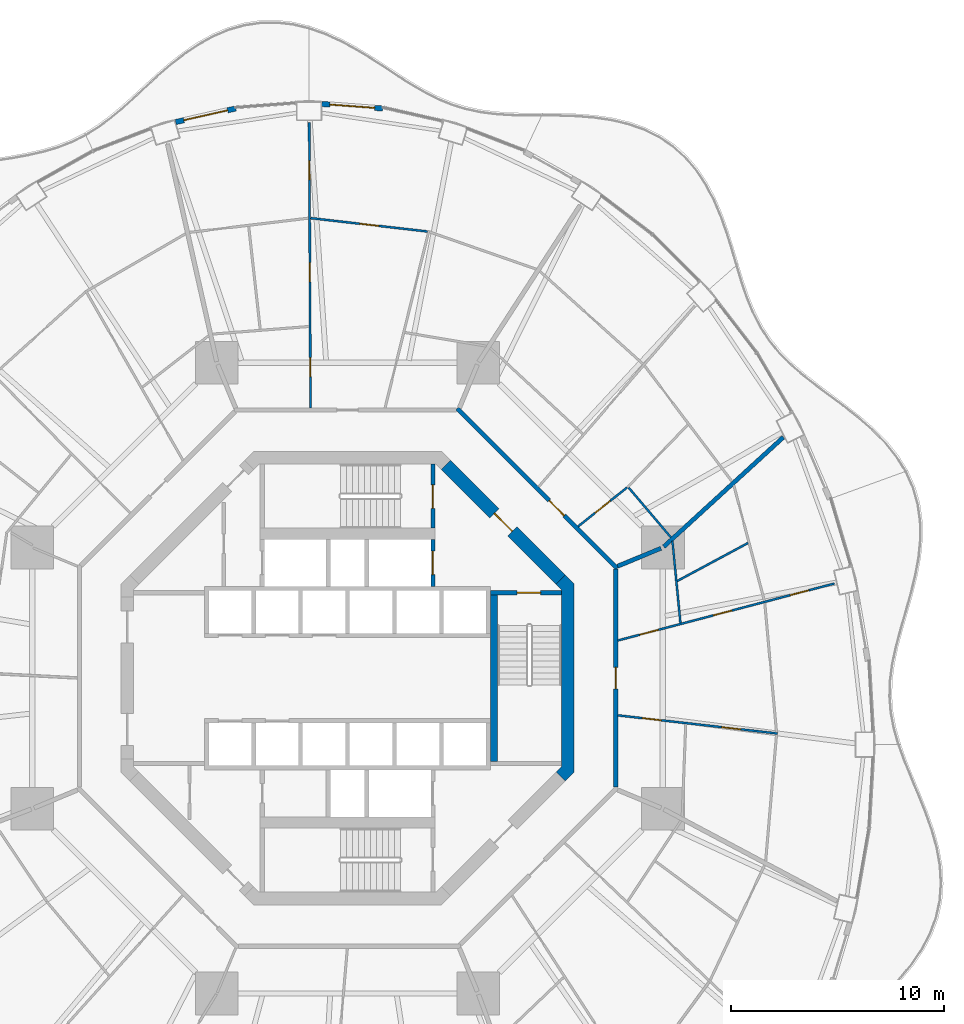
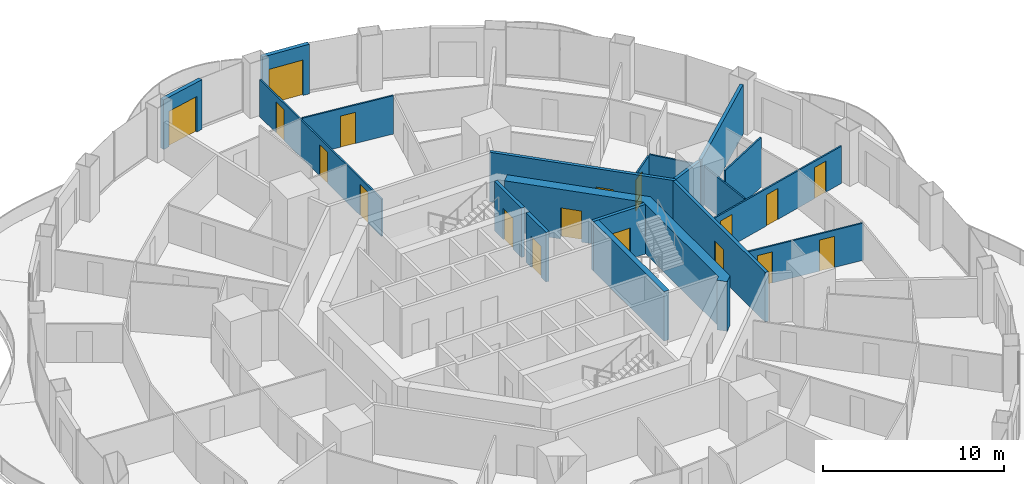
# One storey, part 17 of 21: 20 walls, 18 doors, 18 openings.
"""IFC4 building model written with IfcOpenShell, lengths in metres."""

from ifc_helpers import new_model, si_unit, direction, frame, frame_2d, origin, place, context, subcontext, project, spatial, polyline, rectangle, outline, extrude, material, layer, layer_set, type_object, element, fill, save


model = new_model("IFC4")

# Units and contexts
model_context = context("Model", 3, precision=1e-05, world=origin(), true_north=direction((0.0, 1.0)))
body_context = subcontext(model_context, "Body", "Model", "MODEL_VIEW")
ifc_project = project(units=[si_unit("LENGTHUNIT", "METRE"), si_unit("AREAUNIT", "SQUARE_METRE"), si_unit("VOLUMEUNIT", "CUBIC_METRE"), si_unit("PLANEANGLEUNIT", "RADIAN"), si_unit("MASSUNIT", "GRAM", prefix="KILO")], contexts=[model_context])

# Site, building, storey
site_placement = place(None, origin())
site = spatial("IfcSite", under=ifc_project, at=site_placement, CompositionType="ELEMENT")
building_placement = place(site_placement, origin())
building = spatial("IfcBuilding", under=site, at=building_placement, Name="Nagisa Residences", CompositionType="ELEMENT")
storey_placement = place(building_placement, frame((0.0, 0.0, 156.60009765625)))
storey = spatial("IfcBuildingStorey", under=building, at=storey_placement, Name="L39", CompositionType="ELEMENT", Elevation=156.60009765625)

# Walls
ifc_material_1 = material(Name="Gypsum board on steel studs", Category="steel")
ifc_layer_1 = layer(ifc_material_1, 0.199951171875)
ifc_layer_set_1 = layer_set([ifc_layer_1], Name="Apartment compartment wall EI60 200")
wall_type_1 = type_object("IfcWallType", Name="Apartment compartment wall EI60 200", PredefinedType="PARTITIONING", material=ifc_layer_set_1)
wall_1_placement = place(storey_placement, frame((12.6572265625, 5.24267578125, 0.0), z_axis=(0.0, 0.0, 1.0), x_axis=(0.923876145736, 0.382691608661, 0.0)))
element("IfcWall", 1, at=wall_1_placement, inside=storey, type_object=wall_type_1, Name="wall:L39:u00", PredefinedType="PARTITIONING", context=body_context, shape_type="SweptSolid", body=[
    extrude(rectangle(XDim=2.19970703125, YDim=0.199951171875, at=frame_2d((1.099853515625, 0.0))), origin(), (0.0, 0.0, 1.0), 3.349853515625),
])
wall_2_placement = place(storey_placement, frame((14.81884765625, 6.15673828125, 0.0), z_axis=(0.0, 0.0, 1.0), x_axis=(0.737608883396, 0.675228209671, 0.0)))
element("IfcWall", 2, at=wall_2_placement, inside=storey, type_object=wall_type_1, Name="wall:L39:u01", PredefinedType="PARTITIONING", context=body_context, shape_type="SweptSolid", body=[
    extrude(rectangle(XDim=7.596435546875, YDim=0.199951171875, at=frame_2d((3.79833984375, 0.0))), origin(), (0.0, 0.0, 1.0), 3.349853515625),
])

# Wall, opening, door
ifc_material_2 = material(Name="Gypsum board on steel studs", Category="steel")
ifc_layer_2 = layer(ifc_material_2, 0.199951171875)
ifc_layer_set_2 = layer_set([ifc_layer_2], Name="Apartment entry wall EI60 200")
wall_type_2 = type_object("IfcWallType", Name="Apartment entry wall EI60 200", PredefinedType="PARTITIONING", material=ifc_layer_set_2)
wall_3_placement = place(storey_placement, frame((12.564697265625, -5.1044921875, 0.0), z_axis=(0.0, 0.0, 1.0), x_axis=(0.0, 1.0, 0.0)))
wall_3 = element("IfcWall", 3, at=wall_3_placement, inside=storey, type_object=wall_type_2, Name="wall:L39:u12", PredefinedType="PARTITIONING", context=body_context, shape_type="SweptSolid", body=[
    extrude(rectangle(XDim=10.208984375, YDim=0.199951171875, at=frame_2d((5.1044921875, 0.0))), origin(), (0.0, 0.0, 1.0), 3.349853515625),
])
opening_1_placement = place(wall_3_placement, frame((4.6044921875, 0.0, 0.0)))
opening_1 = element("IfcOpeningElement", 4, at=opening_1_placement, cuts=wall_3, Name="Opening L39-U09", PredefinedType="OPENING", context=body_context, shape_type="SweptSolid", body=[
    extrude(rectangle(XDim=1.0, YDim=2.10009765625, at=frame_2d((0.5, 1.050048828125))), frame((0.0, 0.10986328125, 0.0), z_axis=(0.0, -1.0, 0.0), x_axis=(1.0, 0.0, 0.0)), (0.0, 0.0, 1.0), 0.219970703125),
])
ifc_material_3 = material(Name="Timber fire door set", Category="wood")
door_type_1 = type_object("IfcDoorType", Name="Apartment entry door FD30S 1000x2100", OperationType="NOTDEFINED", PredefinedType="DOOR", material=ifc_material_3)
door_1_placement = place(opening_1_placement, frame((1.0, 0.0, 0.0), x_axis=(-1.0, 0.0, 0.0)))
door_1 = element("IfcDoor", 5, at=door_1_placement, inside=storey, type_object=door_type_1, Name="Entry door, Apartment 39B", OperationType="SINGLE_SWING_RIGHT", OverallHeight=2.10009765625, OverallWidth=1.0, PredefinedType="DOOR", context=body_context, shape_type="SweptSolid", body=[
    extrude(rectangle(XDim=1.0, YDim=2.10009765625, at=frame_2d((0.5, 1.050048828125))), frame((0.0, 0.02490234375, 0.0), z_axis=(0.0, -1.0, 0.0), x_axis=(1.0, 0.0, 0.0)), (0.0, 0.0, 1.0), 0.050048828125),
])
fill(opening_1, door_1)

wall_4_placement = place(storey_placement, frame((12.635498046875, 5.1337890625, 0.0), z_axis=(0.0, 0.0, 1.0), x_axis=(-0.707106781187, 0.707106781187, 0.0)))
wall_4 = element("IfcWall", 6, at=wall_4_placement, inside=storey, type_object=wall_type_2, Name="wall:L39:u13", PredefinedType="PARTITIONING", context=body_context, shape_type="SweptSolid", body=[
    extrude(rectangle(XDim=10.609130859375, YDim=0.199951171875, at=frame_2d((5.3046875, 0.0))), origin(), (0.0, 0.0, 1.0), 3.349853515625),
])
opening_2_placement = place(wall_4_placement, frame((3.50341796875, 0.0, 0.0)))
opening_2 = element("IfcOpeningElement", 7, at=opening_2_placement, cuts=wall_4, Name="Opening L39-U17", PredefinedType="OPENING", context=body_context, shape_type="SweptSolid", body=[
    extrude(rectangle(XDim=1.0, YDim=2.10009765625, at=frame_2d((0.5, 1.050048828125))), frame((0.0, 0.10986328125, 0.0), z_axis=(0.0, -1.0, 0.0), x_axis=(1.0, 0.0, 0.0)), (0.0, 0.0, 1.0), 0.219970703125),
])
door_2_placement = place(opening_2_placement, frame((1.0, 0.0, 0.0), x_axis=(-1.0, 0.0, 0.0)))
door_2 = element("IfcDoor", 8, at=door_2_placement, inside=storey, type_object=door_type_1, Name="Entry door, Apartment 39C", OperationType="SINGLE_SWING_RIGHT", OverallHeight=2.10009765625, OverallWidth=1.0, PredefinedType="DOOR", context=body_context, shape_type="SweptSolid", body=[
    extrude(rectangle(XDim=1.0, YDim=2.10009765625, at=frame_2d((0.5, 1.050048828125))), frame((0.0, 0.02490234375, 0.0), z_axis=(0.0, -1.0, 0.0), x_axis=(1.0, 0.0, 0.0)), (0.0, 0.0, 1.0), 0.050048828125),
])
fill(opening_2, door_2)

# Wall, openings, doors
ifc_material_4 = material(Name="Gypsum board on steel studs", Category="steel")
ifc_layer_3 = layer(ifc_material_4, 0.10009765625)
ifc_layer_set_3 = layer_set([ifc_layer_3], Name="Apartment partition 100")
wall_type_3 = type_object("IfcWallType", Name="Apartment partition 100", PredefinedType="PARTITIONING", material=ifc_layer_set_3)
wall_5_placement = place(storey_placement, frame((12.6640625, -1.74609375, 0.0), z_axis=(0.0, 0.0, 1.0), x_axis=(0.993605172276, -0.112910414164, 0.0)))
wall_5 = element("IfcWall", 9, at=wall_5_placement, inside=storey, type_object=wall_type_3, Name="wall:L39:u20", PredefinedType="PARTITIONING", context=body_context, shape_type="SweptSolid", body=[
    extrude(rectangle(XDim=7.544189453125, YDim=0.10009765625, at=frame_2d((3.77197265625, 0.0))), origin(), (0.0, 0.0, 1.0), 2.514892578125),
])
opening_3_placement = place(wall_5_placement, frame((1.153564453125, 0.0, 0.0)))
opening_3 = element("IfcOpeningElement", 10, at=opening_3_placement, cuts=wall_5, Name="Opening L39-U10", PredefinedType="OPENING", context=body_context, shape_type="SweptSolid", body=[
    extrude(rectangle(XDim=0.89990234375, YDim=2.10009765625, at=frame_2d((0.449951171875, 1.050048828125))), frame((0.0, 0.06005859375, 0.0), z_axis=(0.0, -1.0, 0.0), x_axis=(1.0, 0.0, 0.0)), (0.0, 0.0, 1.0), 0.1201171875),
])
opening_4_placement = place(wall_5_placement, frame((4.900634765625, 0.0, 0.0)))
opening_4 = element("IfcOpeningElement", 11, at=opening_4_placement, cuts=wall_5, Name="Opening L39-U12", PredefinedType="OPENING", context=body_context, shape_type="SweptSolid", body=[
    extrude(rectangle(XDim=0.89990234375, YDim=2.10009765625, at=frame_2d((0.449951171875, 1.050048828125))), frame((0.0, 0.06005859375, 0.0), z_axis=(0.0, -1.0, 0.0), x_axis=(1.0, 0.0, 0.0)), (0.0, 0.0, 1.0), 0.1201171875),
])
ifc_material_5 = material(Name="Timber door set", Category="wood")
door_type_2 = type_object("IfcDoorType", Name="Apartment door 900x2100", OperationType="NOTDEFINED", PredefinedType="DOOR", material=ifc_material_5)
door_3_placement = place(opening_3_placement, frame((0.89990234375, 0.0, 0.0), x_axis=(-1.0, 0.0, 0.0)))
door_3 = element("IfcDoor", 12, at=door_3_placement, inside=storey, type_object=door_type_2, Name="Door to family bathroom, Apartment 39B", OperationType="SINGLE_SWING_LEFT", OverallHeight=2.10009765625, OverallWidth=0.89990234375, PredefinedType="DOOR", context=body_context, shape_type="SweptSolid", body=[
    extrude(rectangle(XDim=0.89990234375, YDim=2.10009765625, at=frame_2d((0.449951171875, 1.050048828125))), frame((0.0, 0.02490234375, 0.0), z_axis=(0.0, -1.0, 0.0), x_axis=(1.0, 0.0, 0.0)), (0.0, 0.0, 1.0), 0.050048828125),
])
fill(opening_3, door_3)
door_4_placement = place(opening_4_placement, frame((0.89990234375, 0.0, 0.0), x_axis=(-1.0, 0.0, 0.0)))
door_4 = element("IfcDoor", 13, at=door_4_placement, inside=storey, type_object=door_type_2, Name="Door to kitchen, Apartment 39B", OperationType="SINGLE_SWING_LEFT", OverallHeight=2.10009765625, OverallWidth=0.89990234375, PredefinedType="DOOR", context=body_context, shape_type="SweptSolid", body=[
    extrude(rectangle(XDim=0.89990234375, YDim=2.10009765625, at=frame_2d((0.449951171875, 1.050048828125))), frame((0.0, 0.02490234375, 0.0), z_axis=(0.0, -1.0, 0.0), x_axis=(1.0, 0.0, 0.0)), (0.0, 0.0, 1.0), 0.050048828125),
])
fill(opening_4, door_4)

wall_6_placement = place(storey_placement, frame((12.661376953125, 1.76025390625, 0.0), z_axis=(0.0, 0.0, 1.0), x_axis=(0.967120304949, 0.254319318488, 0.0)))
wall_6 = element("IfcWall", 14, at=wall_6_placement, inside=storey, type_object=wall_type_3, Name="wall:L39:u24", PredefinedType="PARTITIONING", context=body_context, shape_type="SweptSolid", body=[
    extrude(rectangle(XDim=10.499267578125, YDim=0.10009765625, at=frame_2d((5.24951171875, 0.0))), origin(), (0.0, 0.0, 1.0), 2.514892578125),
])
opening_5_placement = place(wall_6_placement, frame((1.072509765625, 0.0, 0.0)))
opening_5 = element("IfcOpeningElement", 15, at=opening_5_placement, cuts=wall_6, Name="Opening L39-U11", PredefinedType="OPENING", context=body_context, shape_type="SweptSolid", body=[
    extrude(rectangle(XDim=0.89990234375, YDim=2.10009765625, at=frame_2d((0.449951171875, 1.050048828125))), frame((0.0, 0.06005859375, 0.0), z_axis=(0.0, -1.0, 0.0), x_axis=(1.0, 0.0, 0.0)), (0.0, 0.0, 1.0), 0.1201171875),
])
opening_6_placement = place(wall_6_placement, frame((4.6337890625, 0.0, 0.0)))
opening_6 = element("IfcOpeningElement", 16, at=opening_6_placement, cuts=wall_6, Name="Opening L39-U13", PredefinedType="OPENING", context=body_context, shape_type="SweptSolid", body=[
    extrude(rectangle(XDim=0.89990234375, YDim=2.10009765625, at=frame_2d((0.449951171875, 1.050048828125))), frame((0.0, 0.06005859375, 0.0), z_axis=(0.0, -1.0, 0.0), x_axis=(1.0, 0.0, 0.0)), (0.0, 0.0, 1.0), 0.1201171875),
])
opening_7_placement = place(wall_6_placement, frame((8.36083984375, 0.0, 0.0)))
opening_7 = element("IfcOpeningElement", 17, at=opening_7_placement, cuts=wall_6, Name="Opening L39-U15", PredefinedType="OPENING", context=body_context, shape_type="SweptSolid", body=[
    extrude(rectangle(XDim=0.89990234375, YDim=2.10009765625, at=frame_2d((0.449951171875, 1.050048828125))), frame((0.0, 0.06005859375, 0.0), z_axis=(0.0, -1.0, 0.0), x_axis=(1.0, 0.0, 0.0)), (0.0, 0.0, 1.0), 0.1201171875),
])
door_5_placement = place(opening_5_placement, origin())
door_5 = element("IfcDoor", 18, at=door_5_placement, inside=storey, type_object=door_type_2, Name="Door to family bathroom, Apartment 39B", OperationType="SINGLE_SWING_LEFT", OverallHeight=2.10009765625, OverallWidth=0.89990234375, PredefinedType="DOOR", context=body_context, shape_type="SweptSolid", body=[
    extrude(rectangle(XDim=0.89990234375, YDim=2.10009765625, at=frame_2d((0.449951171875, 1.050048828125))), frame((0.0, 0.02490234375, 0.0), z_axis=(0.0, -1.0, 0.0), x_axis=(1.0, 0.0, 0.0)), (0.0, 0.0, 1.0), 0.050048828125),
])
fill(opening_5, door_5)
door_6_placement = place(opening_6_placement, origin())
door_6 = element("IfcDoor", 19, at=door_6_placement, inside=storey, type_object=door_type_2, Name="Door to family bathroom, Apartment 39B", OperationType="SINGLE_SWING_LEFT", OverallHeight=2.10009765625, OverallWidth=0.89990234375, PredefinedType="DOOR", context=body_context, shape_type="SweptSolid", body=[
    extrude(rectangle(XDim=0.89990234375, YDim=2.10009765625, at=frame_2d((0.449951171875, 1.050048828125))), frame((0.0, 0.02490234375, 0.0), z_axis=(0.0, -1.0, 0.0), x_axis=(1.0, 0.0, 0.0)), (0.0, 0.0, 1.0), 0.050048828125),
])
fill(opening_6, door_6)
door_7_placement = place(opening_7_placement, origin())
door_7 = element("IfcDoor", 20, at=door_7_placement, inside=storey, type_object=door_type_2, Name="Door to bedroom, Apartment 39B", OperationType="SINGLE_SWING_LEFT", OverallHeight=2.10009765625, OverallWidth=0.89990234375, PredefinedType="DOOR", context=body_context, shape_type="SweptSolid", body=[
    extrude(rectangle(XDim=0.89990234375, YDim=2.10009765625, at=frame_2d((0.449951171875, 1.050048828125))), frame((0.0, 0.02490234375, 0.0), z_axis=(0.0, -1.0, 0.0), x_axis=(1.0, 0.0, 0.0)), (0.0, 0.0, 1.0), 0.050048828125),
])
fill(opening_7, door_7)

# Walls
wall_7_placement = place(storey_placement, frame((15.601806640625, 2.58447265625, 0.0), z_axis=(0.0, 0.0, 1.0), x_axis=(-0.097196343206, 0.995265226393, 0.0)))
element("IfcWall", 21, at=wall_7_placement, inside=storey, type_object=wall_type_3, Name="wall:L39:u25", PredefinedType="PARTITIONING", context=body_context, shape_type="SweptSolid", body=[
    extrude(rectangle(XDim=3.855712890625, YDim=0.10009765625, at=frame_2d((1.927734375, 0.0))), origin(), (0.0, 0.0, 1.0), 2.596923828125),
])
wall_8_placement = place(storey_placement, frame((15.4560546875, 4.5517578125, 0.0), z_axis=(0.0, 0.0, 1.0), x_axis=(0.8809418045, 0.473224615889, 0.0)))
element("IfcWall", 22, at=wall_8_placement, inside=storey, type_object=wall_type_3, Name="wall:L39:u27", PredefinedType="PARTITIONING", context=body_context, shape_type="SweptSolid", body=[
    extrude(rectangle(XDim=3.760498046875, YDim=0.10009765625, at=frame_2d((1.88037109375, 0.0))), origin(), (0.0, 0.0, 1.0), 3.349853515625),
])
wall_9_placement = place(storey_placement, frame((15.152587890625, 6.597412109375, 0.0), z_axis=(0.0, 0.0, 1.0), x_axis=(-0.647384064422, 0.762163941113, 0.0)))
element("IfcWall", 23, at=wall_9_placement, inside=storey, type_object=wall_type_3, Name="wall:L39:u28", PredefinedType="PARTITIONING", context=body_context, shape_type="SweptSolid", body=[
    extrude(rectangle(XDim=3.056640625, YDim=0.10009765625, at=frame_2d((1.5283203125, 0.0))), origin(), (0.0, 0.0, 1.0), 2.596923828125),
])

# Wall, opening, door
wall_10_placement = place(storey_placement, frame((10.802978515625, 7.106689453125, 0.0), z_axis=(0.0, 0.0, 1.0), x_axis=(0.782908385935, 0.622137010017, 0.0)))
wall_10 = element("IfcWall", 24, at=wall_10_placement, inside=storey, type_object=wall_type_3, Name="wall:L39:u30", PredefinedType="PARTITIONING", context=body_context, shape_type="SweptSolid", body=[
    extrude(rectangle(XDim=2.93701171875, YDim=0.10009765625, at=frame_2d((1.468505859375, 0.0))), origin(), (0.0, 0.0, 1.0), 2.514892578125),
])
opening_8_placement = place(wall_10_placement, frame((1.0185546875, 0.0, 0.0)))
opening_8 = element("IfcOpeningElement", 25, at=opening_8_placement, cuts=wall_10, Name="Opening L39-U18", PredefinedType="OPENING", context=body_context, shape_type="SweptSolid", body=[
    extrude(rectangle(XDim=0.89990234375, YDim=2.10009765625, at=frame_2d((0.449951171875, 1.050048828125))), frame((0.0, 0.06005859375, 0.0), z_axis=(0.0, -1.0, 0.0), x_axis=(1.0, 0.0, 0.0)), (0.0, 0.0, 1.0), 0.1201171875),
])
door_8_placement = place(opening_8_placement, frame((0.89990234375, 0.0, 0.0), x_axis=(-1.0, 0.0, 0.0)))
door_8 = element("IfcDoor", 26, at=door_8_placement, inside=storey, type_object=door_type_2, Name="Door to family bathroom, Apartment 39C", OperationType="SINGLE_SWING_LEFT", OverallHeight=2.10009765625, OverallWidth=0.89990234375, PredefinedType="DOOR", context=body_context, shape_type="SweptSolid", body=[
    extrude(rectangle(XDim=0.89990234375, YDim=2.10009765625, at=frame_2d((0.449951171875, 1.050048828125))), frame((0.0, 0.02490234375, 0.0), z_axis=(0.0, -1.0, 0.0), x_axis=(1.0, 0.0, 0.0)), (0.0, 0.0, 1.0), 0.050048828125),
])
fill(opening_8, door_8)

wall_11_placement = place(storey_placement, frame((3.75146484375, 20.930419921875, 0.0), z_axis=(0.0, 0.0, 1.0), x_axis=(-0.993522105273, 0.113639017658, 0.0)))
wall_11 = element("IfcWall", 27, at=wall_11_placement, inside=storey, type_object=wall_type_3, Name="wall:L39:u38", PredefinedType="PARTITIONING", context=body_context, shape_type="SweptSolid", body=[
    extrude(rectangle(XDim=5.5126953125, YDim=0.10009765625, at=frame_2d((2.75634765625, 0.0))), origin(), (0.0, 0.0, 1.0), 2.596923828125),
])
opening_9_placement = place(wall_11_placement, frame((2.306396484375, 0.0, 0.0)))
opening_9 = element("IfcOpeningElement", 28, at=opening_9_placement, cuts=wall_11, Name="Opening L39-U29", PredefinedType="OPENING", context=body_context, shape_type="SweptSolid", body=[
    extrude(rectangle(XDim=0.89990234375, YDim=2.10009765625, at=frame_2d((0.449951171875, 1.050048828125))), frame((0.0, 0.06005859375, 0.0), z_axis=(0.0, -1.0, 0.0), x_axis=(1.0, 0.0, 0.0)), (0.0, 0.0, 1.0), 0.1201171875),
])
door_9_placement = place(opening_9_placement, frame((0.89990234375, 0.0, 0.0), x_axis=(-1.0, 0.0, 0.0)))
door_9 = element("IfcDoor", 29, at=door_9_placement, inside=storey, type_object=door_type_2, Name="Door to living room, Apartment 39D", OperationType="SINGLE_SWING_RIGHT", OverallHeight=2.10009765625, OverallWidth=0.89990234375, PredefinedType="DOOR", context=body_context, shape_type="SweptSolid", body=[
    extrude(rectangle(XDim=0.89990234375, YDim=2.10009765625, at=frame_2d((0.449951171875, 1.050048828125))), frame((0.0, 0.02490234375, 0.0), z_axis=(0.0, -1.0, 0.0), x_axis=(1.0, 0.0, 0.0)), (0.0, 0.0, 1.0), 0.050048828125),
])
fill(opening_9, door_9)

# Wall, openings, doors
wall_12_placement = place(storey_placement, frame((-1.7353515625, 12.664794921875, 0.0), z_axis=(0.0, 0.0, 1.0), x_axis=(-0.004494500855, 0.99998989968, 0.0)))
wall_12 = element("IfcWall", 30, at=wall_12_placement, inside=storey, type_object=wall_type_3, Name="wall:L39:u39", PredefinedType="PARTITIONING", context=body_context, shape_type="SweptSolid", body=[
    extrude(rectangle(XDim=13.36279296875, YDim=0.10009765625, at=frame_2d((6.681396484375, 0.0))), origin(), (0.0, 0.0, 1.0), 2.514892578125),
])
opening_10_placement = place(wall_12_placement, frame((1.459228515625, 0.0, 0.0)))
opening_10 = element("IfcOpeningElement", 31, at=opening_10_placement, cuts=wall_12, Name="Opening L39-U26", PredefinedType="OPENING", context=body_context, shape_type="SweptSolid", body=[
    extrude(rectangle(XDim=0.89990234375, YDim=2.10009765625, at=frame_2d((0.449951171875, 1.050048828125))), frame((0.0, 0.06005859375, 0.0), z_axis=(0.0, -1.0, 0.0), x_axis=(1.0, 0.0, 0.0)), (0.0, 0.0, 1.0), 0.1201171875),
])
opening_11_placement = place(wall_12_placement, frame((5.908203125, 0.0, 0.0)))
opening_11 = element("IfcOpeningElement", 32, at=opening_11_placement, cuts=wall_12, Name="Opening L39-U28", PredefinedType="OPENING", context=body_context, shape_type="SweptSolid", body=[
    extrude(rectangle(XDim=0.89990234375, YDim=2.10009765625, at=frame_2d((0.449951171875, 1.050048828125))), frame((0.0, 0.06005859375, 0.0), z_axis=(0.0, -1.0, 0.0), x_axis=(1.0, 0.0, 0.0)), (0.0, 0.0, 1.0), 0.1201171875),
])
opening_12_placement = place(wall_12_placement, frame((10.680419921875, 0.0, 0.0)))
opening_12 = element("IfcOpeningElement", 33, at=opening_12_placement, cuts=wall_12, Name="Opening L39-U30", PredefinedType="OPENING", context=body_context, shape_type="SweptSolid", body=[
    extrude(rectangle(XDim=0.89990234375, YDim=2.10009765625, at=frame_2d((0.449951171875, 1.050048828125))), frame((0.0, 0.06005859375, 0.0), z_axis=(0.0, -1.0, 0.0), x_axis=(1.0, 0.0, 0.0)), (0.0, 0.0, 1.0), 0.1201171875),
])
door_10_placement = place(opening_10_placement, origin())
door_10 = element("IfcDoor", 34, at=door_10_placement, inside=storey, type_object=door_type_2, Name="Door to family bathroom, Apartment 39D", OperationType="SINGLE_SWING_RIGHT", OverallHeight=2.10009765625, OverallWidth=0.89990234375, PredefinedType="DOOR", context=body_context, shape_type="SweptSolid", body=[
    extrude(rectangle(XDim=0.89990234375, YDim=2.10009765625, at=frame_2d((0.449951171875, 1.050048828125))), frame((0.0, 0.02490234375, 0.0), z_axis=(0.0, -1.0, 0.0), x_axis=(1.0, 0.0, 0.0)), (0.0, 0.0, 1.0), 0.050048828125),
])
fill(opening_10, door_10)
door_11_placement = place(opening_11_placement, origin())
door_11 = element("IfcDoor", 35, at=door_11_placement, inside=storey, type_object=door_type_2, Name="Door to family bathroom, Apartment 39D", OperationType="SINGLE_SWING_RIGHT", OverallHeight=2.10009765625, OverallWidth=0.89990234375, PredefinedType="DOOR", context=body_context, shape_type="SweptSolid", body=[
    extrude(rectangle(XDim=0.89990234375, YDim=2.10009765625, at=frame_2d((0.449951171875, 1.050048828125))), frame((0.0, 0.02490234375, 0.0), z_axis=(0.0, -1.0, 0.0), x_axis=(1.0, 0.0, 0.0)), (0.0, 0.0, 1.0), 0.050048828125),
])
fill(opening_11, door_11)
door_12_placement = place(opening_12_placement, origin())
door_12 = element("IfcDoor", 36, at=door_12_placement, inside=storey, type_object=door_type_2, Name="Door to master bedroom, Apartment 39D", OperationType="SINGLE_SWING_RIGHT", OverallHeight=2.10009765625, OverallWidth=0.89990234375, PredefinedType="DOOR", context=body_context, shape_type="SweptSolid", body=[
    extrude(rectangle(XDim=0.89990234375, YDim=2.10009765625, at=frame_2d((0.449951171875, 1.050048828125))), frame((0.0, 0.02490234375, 0.0), z_axis=(0.0, -1.0, 0.0), x_axis=(1.0, 0.0, 0.0)), (0.0, 0.0, 1.0), 0.050048828125),
])
fill(opening_12, door_12)

# Wall, opening, door
ifc_material_6 = material(Name="Precast concrete C40/50", Category="concrete")
ifc_layer_4 = layer(ifc_material_6, 0.25)
ifc_layer_set_4 = layer_set([ifc_layer_4], Name="BALCONY DOOR WALL 250")
wall_type_4 = type_object("IfcWallType", Name="BALCONY DOOR WALL 250", PredefinedType="SOLIDWALL", material=ifc_layer_set_4)
wall_13_placement = place(storey_placement, frame((-1.2109375, 26.907958984375, 0.0), z_axis=(0.0, 0.0, 1.0), x_axis=(0.997232166829, -0.074350557769, 0.0)))
wall_13 = element("IfcWall", 37, at=wall_13_placement, inside=storey, type_object=wall_type_4, Name="wall:L39:bay11", PredefinedType="SOLIDWALL", context=body_context, shape_type="SweptSolid", body=[
    extrude(rectangle(XDim=2.873291015625, YDim=0.25, at=frame_2d((1.4365234375, 0.0))), origin(), (0.0, 0.0, 1.0), 3.349853515625),
])
opening_13_placement = place(wall_13_placement, frame((0.386474609375, 0.0, 0.0)))
opening_13 = element("IfcOpeningElement", 38, at=opening_13_placement, cuts=wall_13, Name="Opening BD-L39-04", PredefinedType="OPENING", context=body_context, shape_type="SweptSolid", body=[
    extrude(rectangle(XDim=2.10009765625, YDim=2.39990234375, at=frame_2d((1.050048828125, 1.199951171875))), frame((0.0, 0.135009765625, 0.0), z_axis=(0.0, -1.0, 0.0), x_axis=(1.0, 0.0, 0.0)), (0.0, 0.0, 1.0), 0.27001953125),
])
ifc_material_7 = material(Name="Aluminium and clear glass", Category="aluminium")
door_type_3 = type_object("IfcDoorType", Name="BALCONY SLIDING DOOR 2100x2400", OperationType="SLIDING_TO_LEFT", PredefinedType="DOOR", material=ifc_material_7)
door_13_placement = place(opening_13_placement, origin())
door_13 = element("IfcDoor", 39, at=door_13_placement, inside=storey, type_object=door_type_3, Name="door:L39:bay11", OperationType="SLIDING_TO_LEFT", OverallHeight=2.39990234375, OverallWidth=2.10009765625, PredefinedType="DOOR", context=body_context, shape_type="SweptSolid", body=[
    extrude(rectangle(XDim=2.10009765625, YDim=2.39990234375, at=frame_2d((1.050048828125, 1.199951171875))), frame((0.0, 0.02490234375, 0.0), z_axis=(0.0, -1.0, 0.0), x_axis=(1.0, 0.0, 0.0)), (0.0, 0.0, 1.0), 0.050048828125),
])
fill(opening_13, door_13)

wall_14_placement = place(storey_placement, frame((-8.054931640625, 26.05908203125, 0.0), z_axis=(0.0, 0.0, 1.0), x_axis=(0.975339035722, 0.220711951186, 0.0)))
wall_14 = element("IfcWall", 40, at=wall_14_placement, inside=storey, type_object=wall_type_4, Name="wall:L39:bay13", PredefinedType="SOLIDWALL", context=body_context, shape_type="SweptSolid", body=[
    extrude(rectangle(XDim=2.890380859375, YDim=0.25, at=frame_2d((1.4453125, 0.0))), origin(), (0.0, 0.0, 1.0), 3.349853515625),
])
opening_14_placement = place(wall_14_placement, frame((0.395263671875, 0.0, 0.0)))
opening_14 = element("IfcOpeningElement", 41, at=opening_14_placement, cuts=wall_14, Name="Opening BD-L39-05", PredefinedType="OPENING", context=body_context, shape_type="SweptSolid", body=[
    extrude(rectangle(XDim=2.10009765625, YDim=2.39990234375, at=frame_2d((1.050048828125, 1.199951171875))), frame((0.0, 0.135009765625, 0.0), z_axis=(0.0, -1.0, 0.0), x_axis=(1.0, 0.0, 0.0)), (0.0, 0.0, 1.0), 0.27001953125),
])
door_14_placement = place(opening_14_placement, origin())
door_14 = element("IfcDoor", 42, at=door_14_placement, inside=storey, type_object=door_type_3, Name="door:L39:bay13", OperationType="SLIDING_TO_LEFT", OverallHeight=2.39990234375, OverallWidth=2.10009765625, PredefinedType="DOOR", context=body_context, shape_type="SweptSolid", body=[
    extrude(rectangle(XDim=2.10009765625, YDim=2.39990234375, at=frame_2d((1.050048828125, 1.199951171875))), frame((0.0, 0.02490234375, 0.0), z_axis=(0.0, -1.0, 0.0), x_axis=(1.0, 0.0, 0.0)), (0.0, 0.0, 1.0), 0.050048828125),
])
fill(opening_14, door_14)

ifc_material_8 = material(Name="Concrete C60", Category="concrete")
ifc_layer_5 = layer(ifc_material_8, 0.60009765625)
ifc_layer_set_5 = layer_set([ifc_layer_5], Name="Core shear wall 600")
wall_type_5 = type_object("IfcWallType", Name="Core shear wall 600", PredefinedType="SHEAR", material=ifc_layer_set_5)
wall_15_placement = place(storey_placement, frame((9.98828125, 4.613037109375, 0.0), z_axis=(0.0, 0.0, 1.0), x_axis=(-0.707106781187, 0.707106781187, 0.0)))
wall_15 = element("IfcWall", 43, at=wall_15_placement, inside=storey, type_object=wall_type_5, Name="wall:L39:core:flat1", PredefinedType="SHEAR", context=body_context, shape_type="SweptSolid", body=[
    extrude(rectangle(XDim=7.601806640625, YDim=0.60009765625, at=frame_2d((3.80078125, 0.0))), origin(), (0.0, 0.0, 1.0), 3.349853515625),
])
opening_15_placement = place(wall_15_placement, frame((3.200927734375, 0.0, 0.0)))
opening_15 = element("IfcOpeningElement", 44, at=opening_15_placement, cuts=wall_15, Name="Opening L39-C15", PredefinedType="OPENING", context=body_context, shape_type="SweptSolid", body=[
    extrude(rectangle(XDim=1.199951171875, YDim=2.10009765625, at=frame_2d((0.60009765625, 1.050048828125))), frame((0.0, 0.31005859375, 0.0), z_axis=(0.0, -1.0, 0.0), x_axis=(1.0, 0.0, 0.0)), (0.0, 0.0, 1.0), 0.6201171875),
])
ifc_material_9 = material(Name="Steel fire door", Category="steel")
door_type_4 = type_object("IfcDoorType", Name="Fire door EI60 1200x2100 single swing", OperationType="NOTDEFINED", PredefinedType="DOOR", material=ifc_material_9)
door_15_placement = place(opening_15_placement, origin())
door_15 = element("IfcDoor", 45, at=door_15_placement, inside=storey, type_object=door_type_4, Name="Firefighting lobby 1 door L39", OperationType="SINGLE_SWING_LEFT", OverallHeight=2.10009765625, OverallWidth=1.199951171875, PredefinedType="DOOR", context=body_context, shape_type="SweptSolid", body=[
    extrude(rectangle(XDim=1.199951171875, YDim=2.10009765625, at=frame_2d((0.60009765625, 1.050048828125))), frame((0.0, 0.02490234375, 0.0), z_axis=(0.0, -1.0, 0.0), x_axis=(1.0, 0.0, 0.0)), (0.0, 0.0, 1.0), 0.050048828125),
])
fill(opening_15, door_15)

# Wall
wall_16_placement = place(storey_placement, origin())
element("IfcWall", 46, at=wall_16_placement, inside=storey, type_object=wall_type_5, Name="wall:L39:core:flat0", PredefinedType="SHEAR", context=body_context, shape_type="SweptSolid", body=[
    extrude(outline(polyline([(9.776123046875, -4.40087890625), (10.024658203125, -4.15234375), (10.024658203125, -3.801025390625), (10.024658203125, 4.15234375), (9.776123046875, 4.40087890625), (10.200439453125, 4.8251953125), (10.62451171875, 4.40087890625), (10.62451171875, -4.40087890625), (10.200439453125, -4.8251953125), (9.776123046875, -4.40087890625)])), origin(), (0.0, 0.0, 1.0), 3.349853515625),
])

# Wall, opening, door
ifc_material_10 = material(Name="Concrete C60", Category="concrete")
ifc_layer_6 = layer(ifc_material_10, 0.199951171875)
ifc_layer_set_6 = layer_set([ifc_layer_6], Name="Lift shaft wall 200")
wall_type_6 = type_object("IfcWallType", Name="Lift shaft wall 200", PredefinedType="SOLIDWALL", material=ifc_layer_set_6)
wall_17_placement = place(storey_placement, frame((4.0, 4.300048828125, 0.0), z_axis=(0.0, 0.0, 1.0), x_axis=(0.0, 1.0, 0.0)))
wall_17 = element("IfcWall", 47, at=wall_17_placement, inside=storey, type_object=wall_type_6, Name="wall:L39:Nb3", PredefinedType="SOLIDWALL", context=body_context, shape_type="SweptSolid", body=[
    extrude(rectangle(XDim=2.199951171875, YDim=0.199951171875, at=frame_2d((1.10009765625, 0.0))), origin(), (0.0, 0.0, 1.0), 3.349853515625),
])
opening_16_placement = place(wall_17_placement, frame((0.550048828125, 0.0, 0.0)))
opening_16 = element("IfcOpeningElement", 48, at=opening_16_placement, cuts=wall_17, Name="Opening L39-C06", PredefinedType="OPENING", context=body_context, shape_type="SweptSolid", body=[
    extrude(rectangle(XDim=1.10009765625, YDim=2.10009765625, at=frame_2d((0.550048828125, 1.050048828125))), frame((0.0, 0.10986328125, 0.0), z_axis=(0.0, -1.0, 0.0), x_axis=(1.0, 0.0, 0.0)), (0.0, 0.0, 1.0), 0.219970703125),
])
ifc_material_11 = material(Name="Stainless steel", Category="steel")
door_type_5 = type_object("IfcDoorType", Name="Lift landing door 1100x2100", OperationType="DOUBLE_DOOR_SLIDING", PredefinedType="DOOR", material=ifc_material_11)
door_16_placement = place(opening_16_placement, origin())
door_16 = element("IfcDoor", 49, at=door_16_placement, inside=storey, type_object=door_type_5, Name="Landing door FL1 L39", OperationType="DOUBLE_DOOR_SLIDING", OverallHeight=2.10009765625, OverallWidth=1.10009765625, PredefinedType="DOOR", context=body_context, shape_type="SweptSolid", body=[
    extrude(rectangle(XDim=1.10009765625, YDim=2.10009765625, at=frame_2d((0.550048828125, 1.050048828125))), frame((0.0, 0.02490234375, 0.0), z_axis=(0.0, -1.0, 0.0), x_axis=(1.0, 0.0, 0.0)), (0.0, 0.0, 1.0), 0.050048828125),
])
fill(opening_16, door_16)

ifc_material_12 = material(Name="Concrete C60", Category="concrete")
ifc_layer_7 = layer(ifc_material_12, 0.199951171875)
ifc_layer_set_7 = layer_set([ifc_layer_7], Name="Stair enclosure wall 200")
wall_type_7 = type_object("IfcWallType", Name="Stair enclosure wall 200", PredefinedType="SOLIDWALL", material=ifc_layer_set_7)
wall_18_placement = place(storey_placement, frame((6.699951171875, 4.0, 0.0), z_axis=(0.0, 0.0, 1.0), x_axis=(1.0, 0.0, 0.0)))
wall_18 = element("IfcWall", 50, at=wall_18_placement, inside=storey, type_object=wall_type_7, Name="wall:L39:SE_n", PredefinedType="SOLIDWALL", context=body_context, shape_type="SweptSolid", body=[
    extrude(rectangle(XDim=3.32470703125, YDim=0.199951171875, at=frame_2d((1.662353515625, 0.0))), origin(), (0.0, 0.0, 1.0), 3.349853515625),
])
opening_17_placement = place(wall_18_placement, frame((1.25, 0.0, 0.0)))
opening_17 = element("IfcOpeningElement", 51, at=opening_17_placement, cuts=wall_18, Name="Opening L39-C09", PredefinedType="OPENING", context=body_context, shape_type="SweptSolid", body=[
    extrude(rectangle(XDim=1.10009765625, YDim=2.10009765625, at=frame_2d((0.550048828125, 1.050048828125))), frame((0.0, 0.10986328125, 0.0), z_axis=(0.0, -1.0, 0.0), x_axis=(1.0, 0.0, 0.0)), (0.0, 0.0, 1.0), 0.219970703125),
])
ifc_material_13 = material(Name="Steel fire door", Category="steel")
door_type_6 = type_object("IfcDoorType", Name="Fire door EI90 1100x2100 single swing", OperationType="NOTDEFINED", PredefinedType="DOOR", material=ifc_material_13)
door_17_placement = place(opening_17_placement, frame((1.10009765625, 0.0, 0.0), x_axis=(-1.0, 0.0, 0.0)))
door_17 = element("IfcDoor", 52, at=door_17_placement, inside=storey, type_object=door_type_6, Name="Stair door ST-E L39", OperationType="SINGLE_SWING_LEFT", OverallHeight=2.10009765625, OverallWidth=1.10009765625, PredefinedType="DOOR", context=body_context, shape_type="SweptSolid", body=[
    extrude(rectangle(XDim=1.10009765625, YDim=2.10009765625, at=frame_2d((0.550048828125, 1.050048828125))), frame((0.0, 0.02490234375, 0.0), z_axis=(0.0, -1.0, 0.0), x_axis=(1.0, 0.0, 0.0)), (0.0, 0.0, 1.0), 0.050048828125),
])
fill(opening_17, door_17)

wall_19_placement = place(storey_placement, frame((4.0, 7.024658203125, 0.0), z_axis=(0.0, 0.0, 1.0), x_axis=(0.0, 1.0, 0.0)))
wall_19 = element("IfcWall", 53, at=wall_19_placement, inside=storey, type_object=wall_type_7, Name="wall:L39:SN_e", PredefinedType="SOLIDWALL", context=body_context, shape_type="SweptSolid", body=[
    extrude(rectangle(XDim=3.0, YDim=0.199951171875, at=frame_2d((1.5, 0.0))), origin(), (0.0, 0.0, 1.0), 3.349853515625),
])
opening_18_placement = place(wall_19_placement, frame((0.92529296875, 0.0, 0.0)))
opening_18 = element("IfcOpeningElement", 54, at=opening_18_placement, cuts=wall_19, Name="Opening L39-C10", PredefinedType="OPENING", context=body_context, shape_type="SweptSolid", body=[
    extrude(rectangle(XDim=1.10009765625, YDim=2.10009765625, at=frame_2d((0.550048828125, 1.050048828125))), frame((0.0, 0.10986328125, 0.0), z_axis=(0.0, -1.0, 0.0), x_axis=(1.0, 0.0, 0.0)), (0.0, 0.0, 1.0), 0.219970703125),
])
door_18_placement = place(opening_18_placement, origin())
door_18 = element("IfcDoor", 55, at=door_18_placement, inside=storey, type_object=door_type_6, Name="Stair door ST-N L39", OperationType="SINGLE_SWING_RIGHT", OverallHeight=2.10009765625, OverallWidth=1.10009765625, PredefinedType="DOOR", context=body_context, shape_type="SweptSolid", body=[
    extrude(rectangle(XDim=1.10009765625, YDim=2.10009765625, at=frame_2d((0.550048828125, 1.050048828125))), frame((0.0, 0.02490234375, 0.0), z_axis=(0.0, -1.0, 0.0), x_axis=(1.0, 0.0, 0.0)), (0.0, 0.0, 1.0), 0.050048828125),
])
fill(opening_18, door_18)

# Wall
wall_20_placement = place(storey_placement, origin())
element("IfcWall", 56, at=wall_20_placement, inside=storey, type_object=wall_type_7, Name="wall:L39:SE_w", PredefinedType="SOLIDWALL", context=body_context, shape_type="SweptSolid", body=[
    extrude(outline(polyline([(7.024658203125, -3.89990234375), (6.699951171875, -3.89990234375), (6.699951171875, 3.89990234375), (7.024658203125, 3.89990234375), (7.024658203125, -3.89990234375)])), origin(), (0.0, 0.0, 1.0), 3.349853515625),
])

save(model, "model.ifc")
